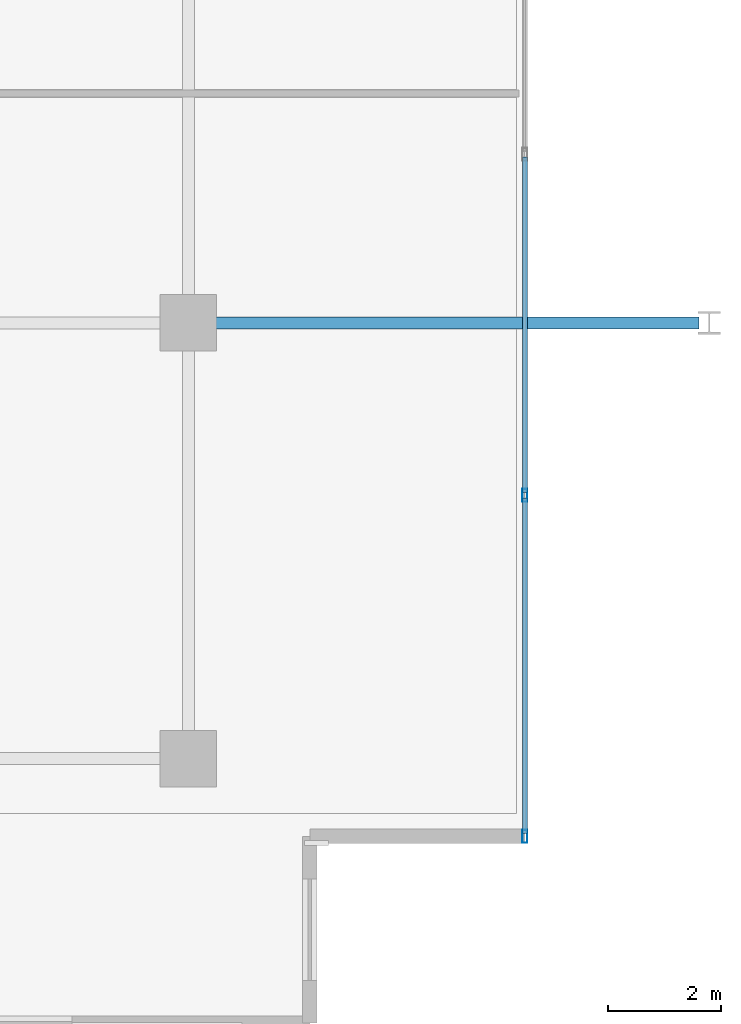
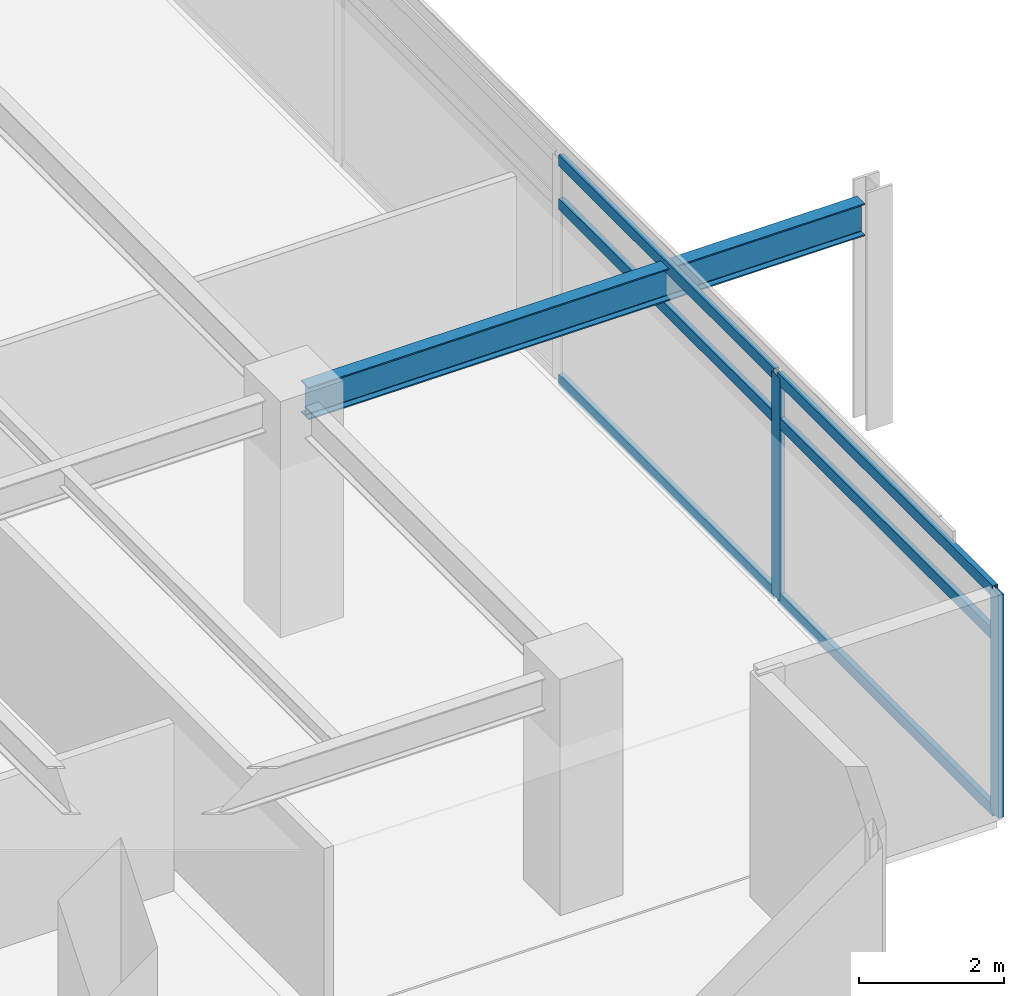
# One storey, part 2 of 21: 8 members, 1 beam, 1 element without a shape of its own.
"""IFC4 building model written with IfcOpenShell, lengths in metres."""

from ifc_helpers import new_model, si_unit, direction, frame, origin, origin_2d, place, context, subcontext, project, spatial, hollow_rectangle, i_section, extrude, material, material_profile, profile_set, type_object, element, aggregate, save


model = new_model("IFC4")

# Units and contexts
model_context = context("Model", 3, precision=1e-05, world=origin(), true_north=direction((0.0, 1.0)))
body_context = subcontext(model_context, "Body", "Model", "MODEL_VIEW")
ifc_project = project(units=[si_unit("LENGTHUNIT", "METRE"), si_unit("AREAUNIT", "SQUARE_METRE"), si_unit("VOLUMEUNIT", "CUBIC_METRE"), si_unit("PLANEANGLEUNIT", "RADIAN"), si_unit("MASSUNIT", "GRAM", prefix="KILO")], contexts=[model_context])

# Site, building, storey
site_placement = place(None, origin())
site = spatial("IfcSite", under=ifc_project, at=site_placement, CompositionType="ELEMENT")
building_placement = place(site_placement, origin())
building = spatial("IfcBuilding", under=site, at=building_placement, Name="Kovane Verandah Tower", CompositionType="ELEMENT")
storey_placement = place(building_placement, frame((0.0, 0.0, 310.800048828125)))
storey = spatial("IfcBuildingStorey", under=building, at=storey_placement, Name="L72", CompositionType="ELEMENT", Elevation=310.800048828125)

# Beam
ifc_material_1 = material(Name="Steel S355", Category="steel")
ifc_material_profile_1 = material_profile(ifc_material_1, i_section(OverallWidth=0.2119140625, OverallDepth=0.54443359375, WebThickness=0.0126953125, FlangeThickness=0.021240234375, FilletRadius=0.0126953125, at=origin_2d()), Name="UB533x210x122")
ifc_profile_set_1 = profile_set([ifc_material_profile_1], Name="Steel S355")
beam_type = type_object("IfcBeamType", Name="BM-UB533x122", PredefinedType="BEAM", material=ifc_profile_set_1)
beam_placement = place(storey_placement, frame((58.580078125, 18.5, 3.48779296875), z_axis=(1.0, 0.0, 0.0), x_axis=(0.0, 1.0, 0.0)))
element("IfcBeam", 1, at=beam_placement, inside=storey, type_object=beam_type, Name="L72 Primary Tower Girder G-VE1", PredefinedType="BEAM", context=body_context, shape_type="SweptSolid", body=[
    extrude(i_section(OverallWidth=0.2119140625, OverallDepth=0.54443359375, WebThickness=0.0126953125, FlangeThickness=0.021240234375, FilletRadius=0.0126953125, at=origin_2d()), origin(), (0.0, 0.0, 1.0), 8.83984375),
])

# Curtain wall, members
ifc_material_2 = material(Name="Champagne Anodised Aluminium Frame with Low-E Clear Laminated Glass", Category="aluminium")
curtain_wall_type = type_object("IfcCurtainWallType", Name="CW-SYS-05-HIGH", PredefinedType="NOTDEFINED", material=ifc_material_2)
curtain_wall_placement = place(storey_placement, origin())
curtain_wall = element("IfcCurtainWall", 2, at=curtain_wall_placement, inside=storey, type_object=curtain_wall_type, Name="L72 E Unitised Curtain Wall", PredefinedType="NOTDEFINED")
ifc_material_3 = material(Name="Champagne Anodised Aluminium 6063-T6", Category="aluminium")
ifc_material_profile_2 = material_profile(ifc_material_3, hollow_rectangle(XDim=0.0849609375, YDim=0.22998046875, WallThickness=0.00390625, at=origin_2d()), Name="AL85x230x4")
ifc_profile_set_2 = profile_set([ifc_material_profile_2], Name="Champagne Anodised Aluminium 6063-T6")
member_type_1 = type_object("IfcMemberType", Name="CW-MUL-85x230", PredefinedType="MULLION", material=ifc_profile_set_2)
member_1_placement = place(storey_placement, frame((64.344482421875, 9.427734375, 0.02001953125), z_axis=(0.0, 0.0, 1.0), x_axis=(1.0, 0.0, 0.0)))
member_1 = element("IfcMember", 3, at=member_1_placement, type_object=member_type_1, Name="L72 E Unitised Curtain Wall Mullion 1", PredefinedType="MULLION", context=body_context, shape_type="SweptSolid", body=[
    extrude(hollow_rectangle(XDim=0.0849609375, YDim=0.22998046875, WallThickness=0.00390625, at=origin_2d()), origin(), (0.0, 0.0, 1.0), 3.744873046875),
])
member_2_placement = place(storey_placement, frame((64.344482421875, 15.451904296875, 0.02001953125), z_axis=(0.0, 0.0, 1.0), x_axis=(1.0, 0.0, 0.0)))
member_2 = element("IfcMember", 4, at=member_2_placement, type_object=member_type_1, Name="L72 E Unitised Curtain Wall Mullion 2", PredefinedType="MULLION", context=body_context, shape_type="SweptSolid", body=[
    extrude(hollow_rectangle(XDim=0.0849609375, YDim=0.22998046875, WallThickness=0.00390625, at=origin_2d()), origin(), (0.0, 0.0, 1.0), 3.744873046875),
])
ifc_material_profile_3 = material_profile(ifc_material_3, hollow_rectangle(XDim=0.0849609375, YDim=0.18994140625, WallThickness=0.00390625, at=origin_2d()), Name="AL85x190x4")
ifc_profile_set_3 = profile_set([ifc_material_profile_3], Name="Champagne Anodised Aluminium 6063-T6")
member_type_2 = type_object("IfcMemberType", Name="CW-TRN-85x190", PredefinedType="USERDEFINED", material=ifc_profile_set_3)
member_3_placement = place(storey_placement, frame((64.344482421875, 9.477783203125, 0.050048828125), z_axis=(0.0, 1.0, 0.0), x_axis=(-1.0, 0.0, 0.0)))
member_3 = element("IfcMember", 5, at=member_3_placement, type_object=member_type_2, Name="L72 E Unitised Curtain Wall Transom TB Bay 1", ObjectType="TRANSOM", PredefinedType="USERDEFINED", context=body_context, shape_type="SweptSolid", body=[
    extrude(hollow_rectangle(XDim=0.0849609375, YDim=0.18994140625, WallThickness=0.00390625, at=origin_2d()), origin(), (0.0, 0.0, 1.0), 5.924072265625),
])
member_4_placement = place(storey_placement, frame((64.344482421875, 9.477783203125, 3.0048828125), z_axis=(0.0, 1.0, 0.0), x_axis=(-1.0, 0.0, 0.0)))
member_4 = element("IfcMember", 6, at=member_4_placement, type_object=member_type_2, Name="L72 E Unitised Curtain Wall Transom TM Bay 1", ObjectType="TRANSOM", PredefinedType="USERDEFINED", context=body_context, shape_type="SweptSolid", body=[
    extrude(hollow_rectangle(XDim=0.0849609375, YDim=0.18994140625, WallThickness=0.00390625, at=origin_2d()), origin(), (0.0, 0.0, 1.0), 5.924072265625),
])
member_5_placement = place(storey_placement, frame((64.344482421875, 9.477783203125, 3.73486328125), z_axis=(0.0, 1.0, 0.0), x_axis=(-1.0, 0.0, 0.0)))
member_5 = element("IfcMember", 7, at=member_5_placement, type_object=member_type_2, Name="L72 E Unitised Curtain Wall Transom TT Bay 1", ObjectType="TRANSOM", PredefinedType="USERDEFINED", context=body_context, shape_type="SweptSolid", body=[
    extrude(hollow_rectangle(XDim=0.0849609375, YDim=0.18994140625, WallThickness=0.00390625, at=origin_2d()), origin(), (0.0, 0.0, 1.0), 5.924072265625),
])
member_6_placement = place(storey_placement, frame((64.344482421875, 15.501953125, 0.050048828125), z_axis=(0.0, 1.0, 0.0), x_axis=(-1.0, 0.0, 0.0)))
member_6 = element("IfcMember", 8, at=member_6_placement, type_object=member_type_2, Name="L72 E Unitised Curtain Wall Transom TB Bay 2", ObjectType="TRANSOM", PredefinedType="USERDEFINED", context=body_context, shape_type="SweptSolid", body=[
    extrude(hollow_rectangle(XDim=0.0849609375, YDim=0.18994140625, WallThickness=0.00390625, at=origin_2d()), origin(), (0.0, 0.0, 1.0), 5.923828125),
])
member_7_placement = place(storey_placement, frame((64.344482421875, 15.501953125, 3.0048828125), z_axis=(0.0, 1.0, 0.0), x_axis=(-1.0, 0.0, 0.0)))
member_7 = element("IfcMember", 9, at=member_7_placement, type_object=member_type_2, Name="L72 E Unitised Curtain Wall Transom TM Bay 2", ObjectType="TRANSOM", PredefinedType="USERDEFINED", context=body_context, shape_type="SweptSolid", body=[
    extrude(hollow_rectangle(XDim=0.0849609375, YDim=0.18994140625, WallThickness=0.00390625, at=origin_2d()), origin(), (0.0, 0.0, 1.0), 5.923828125),
])
member_8_placement = place(storey_placement, frame((64.344482421875, 15.501953125, 3.73486328125), z_axis=(0.0, 1.0, 0.0), x_axis=(-1.0, 0.0, 0.0)))
member_8 = element("IfcMember", 10, at=member_8_placement, type_object=member_type_2, Name="L72 E Unitised Curtain Wall Transom TT Bay 2", ObjectType="TRANSOM", PredefinedType="USERDEFINED", context=body_context, shape_type="SweptSolid", body=[
    extrude(hollow_rectangle(XDim=0.0849609375, YDim=0.18994140625, WallThickness=0.00390625, at=origin_2d()), origin(), (0.0, 0.0, 1.0), 5.923828125),
])
aggregate(curtain_wall, [member_1, member_2, member_3, member_4, member_5, member_6, member_7, member_8])

save(model, "model.ifc")
